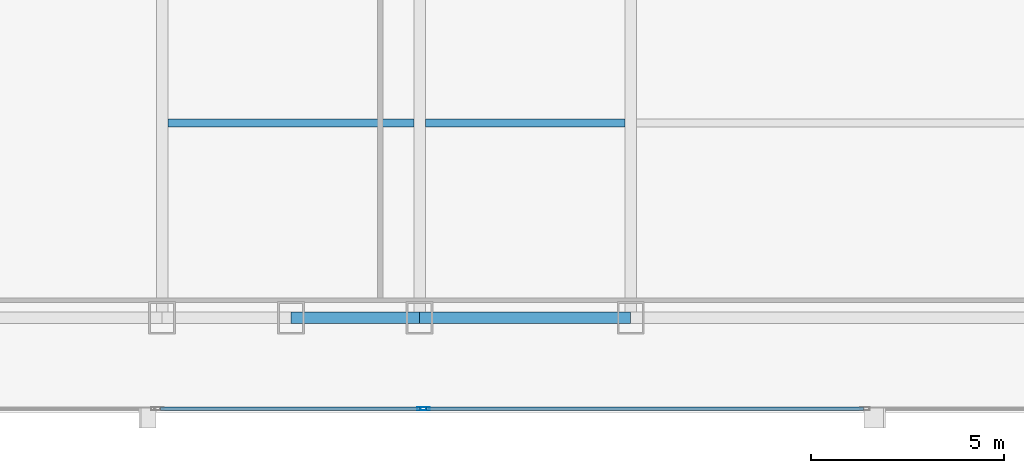
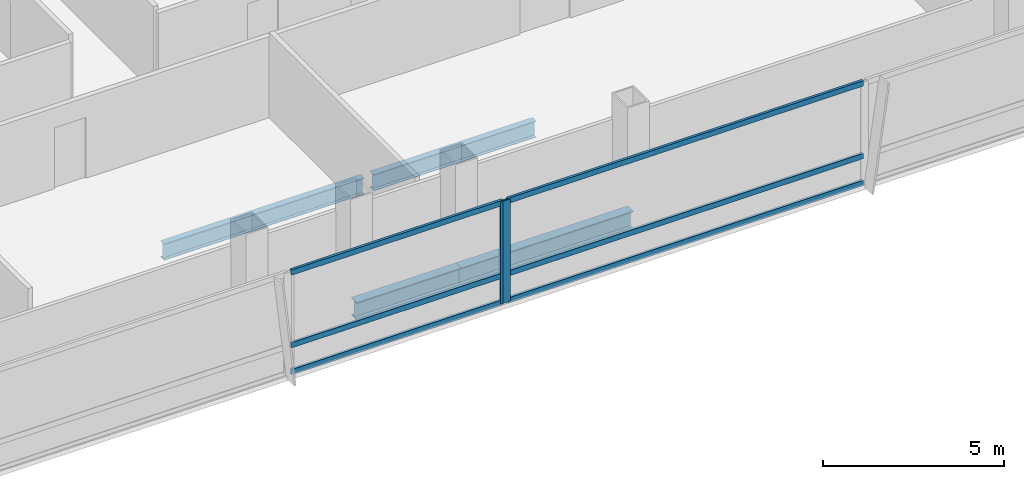
# One storey, part 8 of 32: 8 members, 4 beams, 2 elements without a shape of their own.
"""IFC4 building model written with IfcOpenShell, lengths in metres."""

from ifc_helpers import new_model, si_unit, direction, frame, origin, origin_2d, place, context, subcontext, project, spatial, hollow_rectangle, i_section, extrude, material, material_profile, profile_set, type_object, element, aggregate, save


model = new_model("IFC4")

# Units and contexts
model_context = context("Model", 3, precision=1e-05, world=origin(), true_north=direction((0.0, 1.0)))
body_context = subcontext(model_context, "Body", "Model", "MODEL_VIEW")
ifc_project = project(units=[si_unit("LENGTHUNIT", "METRE"), si_unit("AREAUNIT", "SQUARE_METRE"), si_unit("VOLUMEUNIT", "CUBIC_METRE"), si_unit("PLANEANGLEUNIT", "RADIAN"), si_unit("MASSUNIT", "GRAM", prefix="KILO")], contexts=[model_context])

# Site, building, storey
site_placement = place(None, origin())
site = spatial("IfcSite", under=ifc_project, at=site_placement, CompositionType="ELEMENT")
building_placement = place(site_placement, origin())
building = spatial("IfcBuilding", under=site, at=building_placement, Name="Khoronbel Lancet Exchange", CompositionType="ELEMENT")
storey_placement = place(building_placement, frame((0.0, 0.0, 111.0)))
storey = spatial("IfcBuildingStorey", under=building, at=storey_placement, Name="L26", CompositionType="ELEMENT", Elevation=111.0)

# Beams
ifc_material_1 = material(Name="Steel S355", Category="steel")
ifc_material_profile_1 = material_profile(ifc_material_1, i_section(OverallWidth=0.2099609375, OverallDepth=0.550048828125, WebThickness=0.010986328125, FlangeThickness=0.01708984375, at=origin_2d()), Name="IPE 550")
ifc_profile_set_1 = profile_set([ifc_material_profile_1], Name="Steel S355")
beam_type_1 = type_object("IfcBeamType", Name="BM-BJ2", PredefinedType="JOIST", material=ifc_profile_set_1)
beam_1_placement = place(storey_placement, frame((18.375, 15.199951171875, -0.43505859375), z_axis=(1.0, 0.0, 0.0), x_axis=(0.0, 1.0, 0.0)))
element("IfcBeam", 1, at=beam_1_placement, inside=storey, type_object=beam_type_1, Name="Level L26 secondary composite joist J01", PredefinedType="JOIST", context=body_context, shape_type="SweptSolid", body=[
    extrude(i_section(OverallWidth=0.2099609375, OverallDepth=0.550048828125, WebThickness=0.010986328125, FlangeThickness=0.01708984375, at=origin_2d()), origin(), (0.0, 0.0, 1.0), 6.375),
])
beam_2_placement = place(storey_placement, frame((25.050048828125, 15.199951171875, -0.43505859375), z_axis=(1.0, 0.0, 0.0), x_axis=(0.0, 1.0, 0.0)))
element("IfcBeam", 2, at=beam_2_placement, inside=storey, type_object=beam_type_1, Name="Level L26 secondary composite joist J02", PredefinedType="JOIST", context=body_context, shape_type="SweptSolid", body=[
    extrude(i_section(OverallWidth=0.2099609375, OverallDepth=0.550048828125, WebThickness=0.010986328125, FlangeThickness=0.01708984375, at=origin_2d()), origin(), (0.0, 0.0, 1.0), 5.175048828125),
])
ifc_material_profile_2 = material_profile(ifc_material_1, i_section(OverallWidth=0.300048828125, OverallDepth=0.60009765625, WebThickness=0.015380859375, FlangeThickness=0.030029296875, at=origin_2d()), Name="HEB 600")
ifc_profile_set_2 = profile_set([ifc_material_profile_2], Name="Steel S355")
beam_type_2 = type_object("IfcBeamType", Name="BM-BSP2", PredefinedType="SPANDREL", material=ifc_profile_set_2)
beam_3_placement = place(storey_placement, frame((21.5625, 10.14990234375, -0.4599609375), z_axis=(1.0, 0.0, 0.0), x_axis=(0.0, 1.0, 0.0)))
element("IfcBeam", 3, at=beam_3_placement, inside=storey, type_object=beam_type_2, Name="Level L26 perimeter spandrel beam SP03", PredefinedType="SPANDREL", context=body_context, shape_type="SweptSolid", body=[
    extrude(i_section(OverallWidth=0.300048828125, OverallDepth=0.60009765625, WebThickness=0.015380859375, FlangeThickness=0.030029296875, at=origin_2d()), origin(), (0.0, 0.0, 1.0), 3.33740234375),
])
beam_4_placement = place(storey_placement, frame((24.89990234375, 10.14990234375, -0.4599609375), z_axis=(1.0, 0.0, 0.0), x_axis=(0.0, 1.0, 0.0)))
element("IfcBeam", 4, at=beam_4_placement, inside=storey, type_object=beam_type_2, Name="Level L26 perimeter spandrel beam SP04", PredefinedType="SPANDREL", context=body_context, shape_type="SweptSolid", body=[
    extrude(i_section(OverallWidth=0.300048828125, OverallDepth=0.60009765625, WebThickness=0.015380859375, FlangeThickness=0.030029296875, at=origin_2d()), origin(), (0.0, 0.0, 1.0), 5.47509765625),
])

# Curtain wall, member
ifc_material_2 = material(Name="Low-E Solar Control Insulating Glass", Category="glass")
curtain_wall_type = type_object("IfcCurtainWallType", Name="CW-2", PredefinedType="NOTDEFINED", material=ifc_material_2)
curtain_wall_1_placement = place(storey_placement, origin())
curtain_wall_1 = element("IfcCurtainWall", 5, at=curtain_wall_1_placement, inside=storey, type_object=curtain_wall_type, Name="Unitised curtain wall CW-L26-SWB", PredefinedType="NOTDEFINED")
ifc_material_3 = material(Name="Bronze-Anodised Aluminium 6063-T6", Category="aluminium")
ifc_material_profile_3 = material_profile(ifc_material_3, hollow_rectangle(XDim=0.0849609375, YDim=0.239990234375, WallThickness=0.006103515625, at=origin_2d()), Name="ALU MULLION 85x240")
ifc_profile_set_3 = profile_set([ifc_material_profile_3], Name="Bronze-Anodised Aluminium 6063-T6")
member_type_1 = type_object("IfcMemberType", Name="MEM-CWM1", PredefinedType="MULLION", material=ifc_profile_set_3)
member_1_placement = place(storey_placement, frame((24.95751953125, 7.7900390625, 0.0), z_axis=(0.0, 0.0, 1.0), x_axis=(0.0, 1.0, 0.0)))
member_1 = element("IfcMember", 6, at=member_1_placement, type_object=member_type_1, Name="CW2 mullion 2", PredefinedType="MULLION", context=body_context, shape_type="SweptSolid", body=[
    extrude(hollow_rectangle(XDim=0.0849609375, YDim=0.239990234375, WallThickness=0.006103515625, at=origin_2d()), origin(), (0.0, 0.0, 1.0), 3.43994140625),
])

curtain_wall_2_placement = place(storey_placement, origin())
curtain_wall_2 = element("IfcCurtainWall", 7, at=curtain_wall_2_placement, inside=storey, type_object=curtain_wall_type, Name="Unitised curtain wall CW-L26-SCV", PredefinedType="NOTDEFINED")
member_2_placement = place(storey_placement, frame((25.04248046875, 7.7900390625, 0.0), z_axis=(0.0, 0.0, 1.0), x_axis=(0.0, 1.0, 0.0)))
member_2 = element("IfcMember", 8, at=member_2_placement, type_object=member_type_1, Name="CW2 mullion 1", PredefinedType="MULLION", context=body_context, shape_type="SweptSolid", body=[
    extrude(hollow_rectangle(XDim=0.0849609375, YDim=0.239990234375, WallThickness=0.006103515625, at=origin_2d()), origin(), (0.0, 0.0, 1.0), 3.43994140625),
])

# Member
ifc_material_profile_4 = material_profile(ifc_material_3, hollow_rectangle(XDim=0.0849609375, YDim=0.179931640625, WallThickness=0.0048828125, at=origin_2d()), Name="ALU TRANSOM 85x180")
ifc_profile_set_4 = profile_set([ifc_material_profile_4], Name="Bronze-Anodised Aluminium 6063-T6")
member_type_2 = type_object("IfcMemberType", Name="MEM-CWT1", PredefinedType="USERDEFINED", material=ifc_profile_set_4)
member_3_placement = place(storey_placement, frame((18.18505859375, 7.7900390625, 0.04248046875), z_axis=(1.0, 0.0, 0.0), x_axis=(0.0, 1.0, 0.0)))
member_3 = element("IfcMember", 9, at=member_3_placement, type_object=member_type_2, Name="CW2 transom 1.1", ObjectType="TRANSOM", PredefinedType="USERDEFINED", context=body_context, shape_type="SweptSolid", body=[
    extrude(hollow_rectangle(XDim=0.0849609375, YDim=0.179931640625, WallThickness=0.0048828125, at=origin_2d()), origin(), (0.0, 0.0, 1.0), 6.72998046875),
])

member_4_placement = place(storey_placement, frame((18.18505859375, 7.7900390625, 0.949951171875), z_axis=(1.0, 0.0, 0.0), x_axis=(0.0, 1.0, 0.0)))
member_4 = element("IfcMember", 10, at=member_4_placement, type_object=member_type_2, Name="CW2 transom 1.2", ObjectType="TRANSOM", PredefinedType="USERDEFINED", context=body_context, shape_type="SweptSolid", body=[
    extrude(hollow_rectangle(XDim=0.0849609375, YDim=0.179931640625, WallThickness=0.0048828125, at=origin_2d()), origin(), (0.0, 0.0, 1.0), 6.72998046875),
])

member_5_placement = place(storey_placement, frame((18.18505859375, 7.7900390625, 3.3974609375), z_axis=(1.0, 0.0, 0.0), x_axis=(0.0, 1.0, 0.0)))
member_5 = element("IfcMember", 11, at=member_5_placement, type_object=member_type_2, Name="CW2 transom 1.3", ObjectType="TRANSOM", PredefinedType="USERDEFINED", context=body_context, shape_type="SweptSolid", body=[
    extrude(hollow_rectangle(XDim=0.0849609375, YDim=0.179931640625, WallThickness=0.0048828125, at=origin_2d()), origin(), (0.0, 0.0, 1.0), 6.72998046875),
])

aggregate(curtain_wall_1, [member_1, member_3, member_4, member_5])

member_6_placement = place(storey_placement, frame((25.0849609375, 7.7900390625, 0.04248046875), z_axis=(1.0, 0.0, 0.0), x_axis=(0.0, 1.0, 0.0)))
member_6 = element("IfcMember", 12, at=member_6_placement, type_object=member_type_2, Name="CW2 transom 1.1", ObjectType="TRANSOM", PredefinedType="USERDEFINED", context=body_context, shape_type="SweptSolid", body=[
    extrude(hollow_rectangle(XDim=0.0849609375, YDim=0.179931640625, WallThickness=0.0048828125, at=origin_2d()), origin(), (0.0, 0.0, 1.0), 11.322509765625),
])

member_7_placement = place(storey_placement, frame((25.0849609375, 7.7900390625, 0.949951171875), z_axis=(1.0, 0.0, 0.0), x_axis=(0.0, 1.0, 0.0)))
member_7 = element("IfcMember", 13, at=member_7_placement, type_object=member_type_2, Name="CW2 transom 1.2", ObjectType="TRANSOM", PredefinedType="USERDEFINED", context=body_context, shape_type="SweptSolid", body=[
    extrude(hollow_rectangle(XDim=0.0849609375, YDim=0.179931640625, WallThickness=0.0048828125, at=origin_2d()), origin(), (0.0, 0.0, 1.0), 11.322509765625),
])

member_8_placement = place(storey_placement, frame((25.0849609375, 7.7900390625, 3.3974609375), z_axis=(1.0, 0.0, 0.0), x_axis=(0.0, 1.0, 0.0)))
member_8 = element("IfcMember", 14, at=member_8_placement, type_object=member_type_2, Name="CW2 transom 1.3", ObjectType="TRANSOM", PredefinedType="USERDEFINED", context=body_context, shape_type="SweptSolid", body=[
    extrude(hollow_rectangle(XDim=0.0849609375, YDim=0.179931640625, WallThickness=0.0048828125, at=origin_2d()), origin(), (0.0, 0.0, 1.0), 11.322509765625),
])

aggregate(curtain_wall_2, [member_2, member_6, member_7, member_8])

save(model, "model.ifc")
